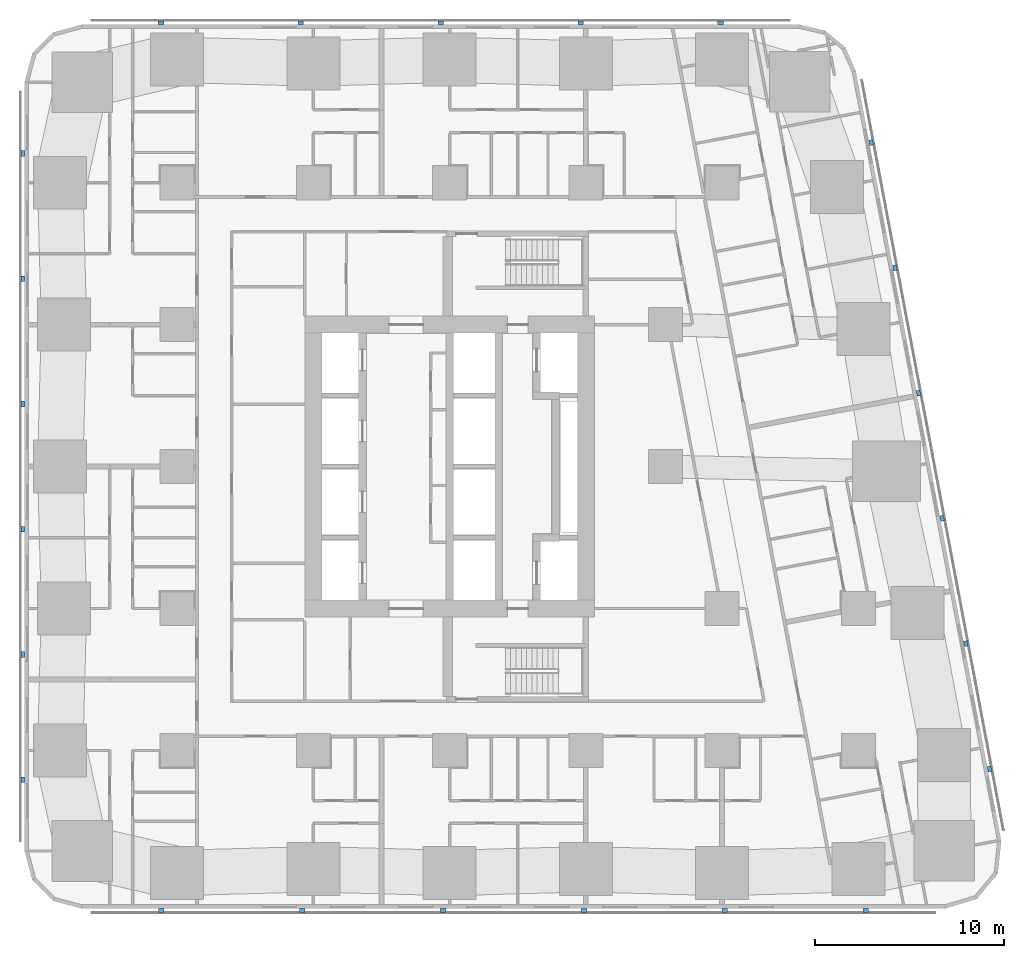
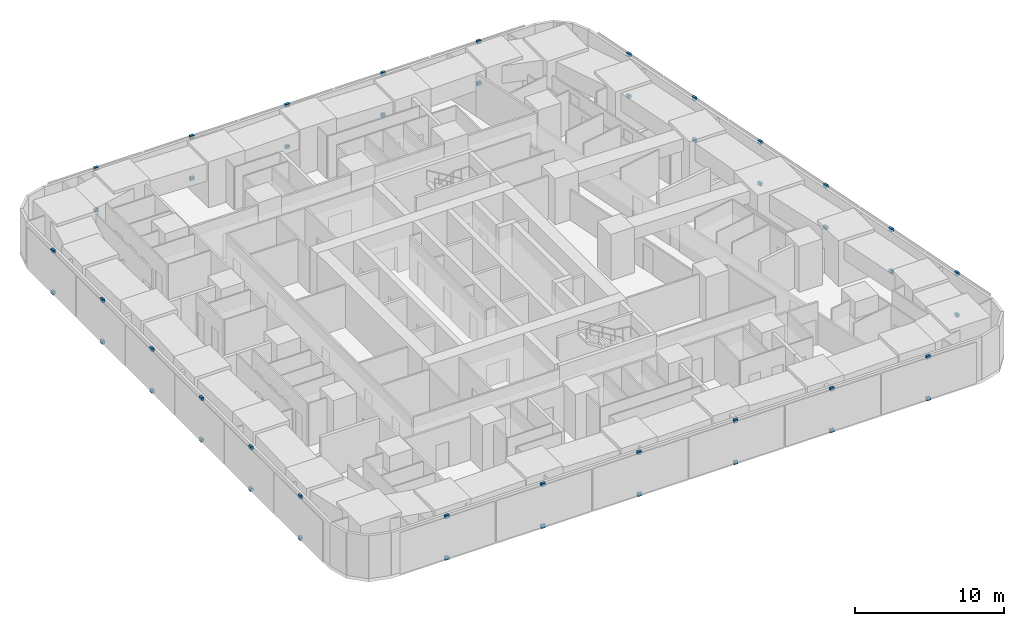
# One storey, part 12 of 16: 46 discrete accessories.
"""IFC4 building model written with IfcOpenShell, lengths in metres."""

from ifc_helpers import new_model, si_unit, direction, frame, origin, origin_2d, place, context, subcontext, project, spatial, rectangle, extrude, material, type_object, element, save


model = new_model("IFC4")

# Units and contexts
model_context = context("Model", 3, precision=1e-05, world=origin(), true_north=direction((0.0, 1.0)))
body_context = subcontext(model_context, "Body", "Model", "MODEL_VIEW")
ifc_project = project(units=[si_unit("LENGTHUNIT", "METRE"), si_unit("AREAUNIT", "SQUARE_METRE"), si_unit("VOLUMEUNIT", "CUBIC_METRE"), si_unit("PLANEANGLEUNIT", "RADIAN"), si_unit("MASSUNIT", "GRAM", prefix="KILO")], contexts=[model_context])

# Site, building, storey
site_placement = place(None, origin())
site = spatial("IfcSite", under=ifc_project, at=site_placement, CompositionType="ELEMENT")
building_placement = place(site_placement, origin())
building = spatial("IfcBuilding", under=site, at=building_placement, Name="Sheger Commons Tower", CompositionType="ELEMENT")
storey_placement = place(building_placement, frame((0.0, 0.0, 61.25)))
storey = spatial("IfcBuildingStorey", under=building, at=storey_placement, Name="L15", CompositionType="ELEMENT", Elevation=61.25)

# Discrete accessories
ifc_material = material(Name="Black painted steel bracket", Category="steel")
discrete_accessory_type = type_object("IfcDiscreteAccessoryType", Name="SCREEN BRACKET 300x200x250", PredefinedType="BRACKET", material=ifc_material)
for number, where, z_axis, x_axis, name in (
    (1, (6.37109375, -0.949951171875, -0.10009765625), (0.0, 0.0, 1.0), (1.0, 0.0, 0.0), "Solar screen foot bracket"),
    (2, (6.37109375, -0.949951171875, 3.300048828125), (0.0, 0.0, 1.0), (1.0, 0.0, 0.0), "Solar screen head bracket"),
    (3, (13.81396484375, -0.949951171875, -0.10009765625), (0.0, 0.0, 1.0), (1.0, 0.0, 0.0), "Solar screen foot bracket"),
    (4, (13.81396484375, -0.949951171875, 3.300048828125), (0.0, 0.0, 1.0), (1.0, 0.0, 0.0), "Solar screen head bracket"),
    (5, (21.257080078125, -0.949951171875, -0.10009765625), (0.0, 0.0, 1.0), (1.0, 0.0, 0.0), "Solar screen foot bracket"),
    (6, (21.257080078125, -0.949951171875, 3.300048828125), (0.0, 0.0, 1.0), (1.0, 0.0, 0.0), "Solar screen head bracket"),
    (7, (28.698974609375, -0.949951171875, -0.10009765625), (0.0, 0.0, 1.0), (1.0, 0.0, 0.0), "Solar screen foot bracket"),
    (8, (28.698974609375, -0.949951171875, 3.300048828125), (0.0, 0.0, 1.0), (1.0, 0.0, 0.0), "Solar screen head bracket"),
    (9, (36.14208984375, -0.949951171875, -0.10009765625), (0.0, 0.0, 1.0), (1.0, 0.0, 0.0), "Solar screen foot bracket"),
    (10, (36.14208984375, -0.949951171875, 3.300048828125), (0.0, 0.0, 1.0), (1.0, 0.0, 0.0), "Solar screen head bracket"),
    (11, (43.5849609375, -0.949951171875, -0.10009765625), (0.0, 0.0, 1.0), (1.0, 0.0, 0.0), "Solar screen foot bracket"),
    (12, (43.5849609375, -0.949951171875, 3.300048828125), (0.0, 0.0, 1.0), (1.0, 0.0, 0.0), "Solar screen head bracket"),
    (13, (50.134033203125, 6.527099609375, -0.10009765625), (0.0, 0.0, 1.0), (-0.185615165645, 0.982622516678, 0.0), "Solar screen foot bracket"),
    (14, (50.134033203125, 6.527099609375, 3.300048828125), (0.0, 0.0, 1.0), (-0.185615165645, 0.982622516678, 0.0), "Solar screen head bracket"),
    (15, (48.884033203125, 13.14599609375, -0.10009765625), (0.0, 0.0, 1.0), (-0.185615165645, 0.982622516678, 0.0), "Solar screen foot bracket"),
    (16, (48.884033203125, 13.14599609375, 3.300048828125), (0.0, 0.0, 1.0), (-0.185615165645, 0.982622516678, 0.0), "Solar screen head bracket"),
    (17, (47.633056640625, 19.76611328125, -0.10009765625), (0.0, 0.0, 1.0), (-0.185615165645, 0.982622516678, 0.0), "Solar screen foot bracket"),
    (18, (47.633056640625, 19.76611328125, 3.300048828125), (0.0, 0.0, 1.0), (-0.185615165645, 0.982622516678, 0.0), "Solar screen head bracket"),
    (19, (46.383056640625, 26.385009765625, -0.10009765625), (0.0, 0.0, 1.0), (-0.185615165645, 0.982622516678, 0.0), "Solar screen foot bracket"),
    (20, (46.383056640625, 26.385009765625, 3.300048828125), (0.0, 0.0, 1.0), (-0.185615165645, 0.982622516678, 0.0), "Solar screen head bracket"),
    (21, (45.133056640625, 33.0048828125, -0.10009765625), (0.0, 0.0, 1.0), (-0.185615165645, 0.982622516678, 0.0), "Solar screen foot bracket"),
    (22, (45.133056640625, 33.0048828125, 3.300048828125), (0.0, 0.0, 1.0), (-0.185615165645, 0.982622516678, 0.0), "Solar screen head bracket"),
    (23, (43.882080078125, 39.6240234375, -0.10009765625), (0.0, 0.0, 1.0), (-0.185615165645, 0.982622516678, 0.0), "Solar screen foot bracket"),
    (24, (43.882080078125, 39.6240234375, 3.300048828125), (0.0, 0.0, 1.0), (-0.185615165645, 0.982622516678, 0.0), "Solar screen head bracket"),
    (25, (35.9208984375, 45.949951171875, -0.10009765625), (0.0, 0.0, 1.0), (-1.0, 0.0, 0.0), "Solar screen foot bracket"),
    (26, (35.9208984375, 45.949951171875, 3.300048828125), (0.0, 0.0, 1.0), (-1.0, 0.0, 0.0), "Solar screen head bracket"),
    (27, (28.528076171875, 45.949951171875, -0.10009765625), (0.0, 0.0, 1.0), (-1.0, 0.0, 0.0), "Solar screen foot bracket"),
    (28, (28.528076171875, 45.949951171875, 3.300048828125), (0.0, 0.0, 1.0), (-1.0, 0.0, 0.0), "Solar screen head bracket"),
    (29, (21.134033203125, 45.949951171875, -0.10009765625), (0.0, 0.0, 1.0), (-1.0, 0.0, 0.0), "Solar screen foot bracket"),
    (30, (21.134033203125, 45.949951171875, 3.300048828125), (0.0, 0.0, 1.0), (-1.0, 0.0, 0.0), "Solar screen head bracket"),
    (31, (13.739990234375, 45.949951171875, -0.10009765625), (0.0, 0.0, 1.0), (-1.0, 0.0, 0.0), "Solar screen foot bracket"),
    (32, (13.739990234375, 45.949951171875, 3.300048828125), (0.0, 0.0, 1.0), (-1.0, 0.0, 0.0), "Solar screen head bracket"),
    (33, (6.346923828125, 45.949951171875, -0.10009765625), (0.0, 0.0, 1.0), (-1.0, 0.0, 0.0), "Solar screen foot bracket"),
    (34, (6.346923828125, 45.949951171875, 3.300048828125), (0.0, 0.0, 1.0), (-1.0, 0.0, 0.0), "Solar screen head bracket"),
    (35, (-0.949951171875, 39.0419921875, -0.10009765625), (0.0, 0.0, 1.0), (0.0, -1.0, 0.0), "Solar screen foot bracket"),
    (36, (-0.949951171875, 39.0419921875, 3.300048828125), (0.0, 0.0, 1.0), (0.0, -1.0, 0.0), "Solar screen head bracket"),
    (37, (-0.949951171875, 32.425048828125, -0.10009765625), (0.0, 0.0, 1.0), (0.0, -1.0, 0.0), "Solar screen foot bracket"),
    (38, (-0.949951171875, 32.425048828125, 3.300048828125), (0.0, 0.0, 1.0), (0.0, -1.0, 0.0), "Solar screen head bracket"),
    (39, (-0.949951171875, 25.80810546875, -0.10009765625), (0.0, 0.0, 1.0), (0.0, -1.0, 0.0), "Solar screen foot bracket"),
    (40, (-0.949951171875, 25.80810546875, 3.300048828125), (0.0, 0.0, 1.0), (0.0, -1.0, 0.0), "Solar screen head bracket"),
    (41, (-0.949951171875, 19.19189453125, -0.10009765625), (0.0, 0.0, 1.0), (0.0, -1.0, 0.0), "Solar screen foot bracket"),
    (42, (-0.949951171875, 19.19189453125, 3.300048828125), (0.0, 0.0, 1.0), (0.0, -1.0, 0.0), "Solar screen head bracket"),
    (43, (-0.949951171875, 12.574951171875, -0.10009765625), (0.0, 0.0, 1.0), (0.0, -1.0, 0.0), "Solar screen foot bracket"),
    (44, (-0.949951171875, 12.574951171875, 3.300048828125), (0.0, 0.0, 1.0), (0.0, -1.0, 0.0), "Solar screen head bracket"),
    (45, (-0.949951171875, 5.9580078125, -0.10009765625), (0.0, 0.0, 1.0), (0.0, -1.0, 0.0), "Solar screen foot bracket"),
    (46, (-0.949951171875, 5.9580078125, 3.300048828125), (0.0, 0.0, 1.0), (0.0, -1.0, 0.0), "Solar screen head bracket"),
):
    element("IfcDiscreteAccessory", number, at=place(storey_placement, frame(where, z_axis=z_axis, x_axis=x_axis)), inside=storey, type_object=discrete_accessory_type, Name=name, PredefinedType="BRACKET", context=body_context, shape_type="SweptSolid", body=[
        extrude(rectangle(XDim=0.300048828125, YDim=0.199951171875, at=origin_2d()), origin(), (0.0, 0.0, 1.0), 0.25),
    ])

save(model, "model.ifc")
